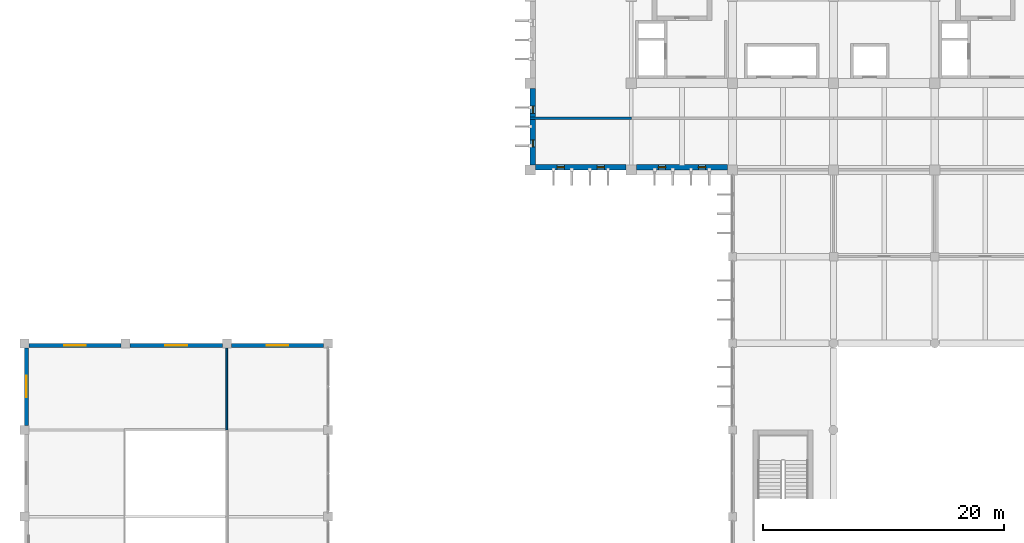
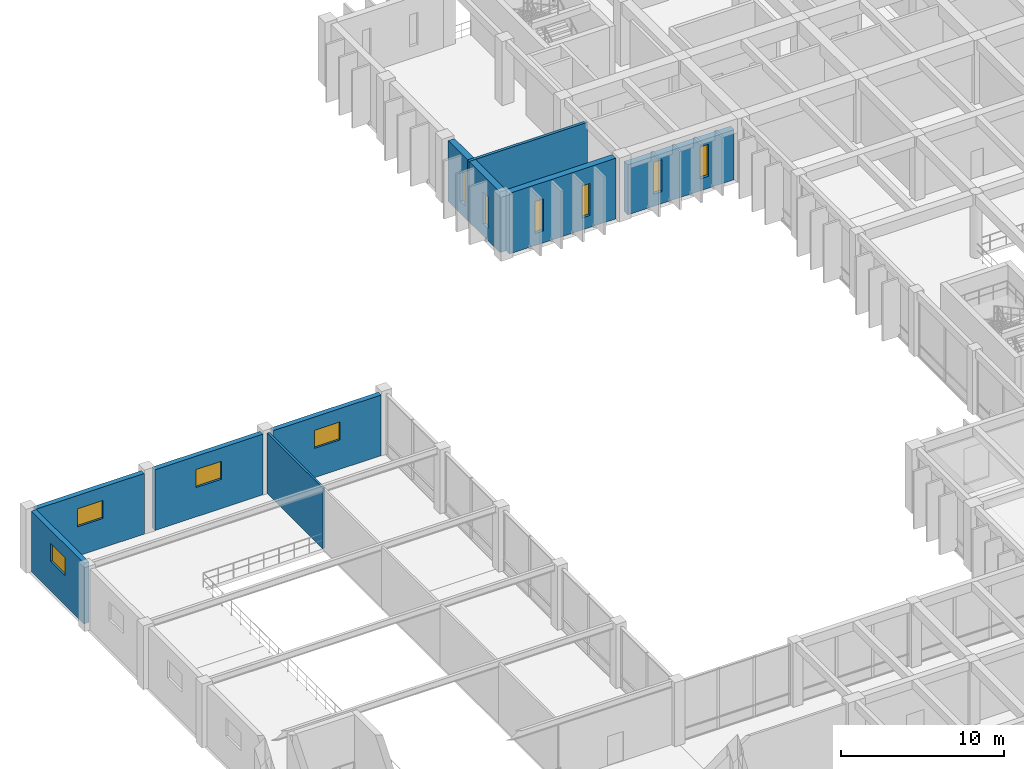
# One storey, part 33 of 51: 10 windows, 9 walls, 10 openings.
"""IFC4 building model written with IfcOpenShell, lengths in metres."""

from ifc_helpers import new_model, si_unit, direction, frame, frame_2d, origin, place, context, subcontext, project, spatial, rectangle, extrude, material, layer, layer_set, type_object, element, fill, save


model = new_model("IFC4")

# Units and contexts
model_context = context("Model", 3, precision=1e-05, world=origin(), true_north=direction((0.0, 1.0)))
body_context = subcontext(model_context, "Body", "Model", "MODEL_VIEW")
ifc_project = project(units=[si_unit("LENGTHUNIT", "METRE"), si_unit("AREAUNIT", "SQUARE_METRE"), si_unit("VOLUMEUNIT", "CUBIC_METRE"), si_unit("PLANEANGLEUNIT", "RADIAN"), si_unit("MASSUNIT", "GRAM", prefix="KILO")], contexts=[model_context])

# Site, building, storey
site_placement = place(None, origin())
site = spatial("IfcSite", under=ifc_project, at=site_placement, CompositionType="ELEMENT")
building_placement = place(site_placement, origin())
building = spatial("IfcBuilding", under=site, at=building_placement, Name="Kenerak Square Central Library", CompositionType="ELEMENT")
storey_placement = place(building_placement, frame((0.0, 0.0, 9.60009765625)))
storey = spatial("IfcBuildingStorey", under=building, at=storey_placement, Name="L02", CompositionType="ELEMENT", Elevation=9.60009765625)

# Wall
ifc_material_1 = material(Name="Precast concrete C40/50", Category="concrete")
ifc_layer_1 = layer(ifc_material_1, 0.14990234375)
ifc_layer_set_1 = layer_set([ifc_layer_1], Name="Precast concrete C40/50")
wall_type_1 = type_object("IfcWallType", Name="Acoustic Blockwork Partition IW-150 C40/50", PredefinedType="PARTITIONING", material=ifc_layer_set_1)
wall_1_placement = place(storey_placement, frame((24.800048828125, 67.199951171875, 0.0), z_axis=(0.0, 0.0, 1.0), x_axis=(0.0, 1.0, 0.0)))
element("IfcWall", 1, at=wall_1_placement, inside=storey, type_object=wall_type_1, Name="Interior Wall IW-L02-04-W3-B5", PredefinedType="PARTITIONING", context=body_context, shape_type="SweptSolid", body=[
    extrude(rectangle(XDim=6.824951171875, YDim=0.14990234375, at=frame_2d((3.41259765625, 0.0))), origin(), (0.0, 0.0, 1.0), 4.5498046875),
])

# Wall, opening, window
ifc_material_2 = material(Name="Concrete C40/50", Category="concrete")
ifc_layer_2 = layer(ifc_material_2, 0.35009765625)
ifc_layer_set_2 = layer_set([ifc_layer_2], Name="Concrete C40/50")
wall_type_2 = type_object("IfcWallType", Name="Auditorium Fluted Acoustic Wall AW-350 C40/50", PredefinedType="SOLIDWALL", material=ifc_layer_set_2)
wall_2_placement = place(storey_placement, frame((8.175048828125, 67.574951171875, 0.0), z_axis=(0.0, 0.0, 1.0), x_axis=(0.0, 1.0, 0.0)))
wall_2 = element("IfcWall", 2, at=wall_2_placement, inside=storey, type_object=wall_type_2, Name="Exterior Facade Wall L02 0164", PredefinedType="SOLIDWALL", context=body_context, shape_type="SweptSolid", body=[
    extrude(rectangle(XDim=6.449951171875, YDim=0.35009765625, at=frame_2d((3.22509765625, 0.0))), origin(), (0.0, 0.0, 1.0), 4.5498046875),
])
opening_1_placement = place(wall_2_placement, frame((2.324951171875, 0.0, 2.199951171875)))
opening_1 = element("IfcOpeningElement", 3, at=opening_1_placement, cuts=wall_2, Name="Opening W-08", PredefinedType="OPENING", context=body_context, shape_type="SweptSolid", body=[
    extrude(rectangle(XDim=1.800048828125, YDim=1.35009765625, at=frame_2d((0.89990234375, 0.675048828125))), frame((0.0, 0.18505859375, 0.0), z_axis=(0.0, -1.0, 0.0), x_axis=(1.0, 0.0, 0.0)), (0.0, 0.0, 1.0), 0.3701171875),
])
ifc_material_3 = material(Name="Solar-control low-E laminated double glazing", Category="glass")
window_type_1 = type_object("IfcWindowType", Name="Acoustic Clerestory Window W-08 1800x1350", PartitioningType="SINGLE_PANEL", PredefinedType="WINDOW", material=ifc_material_3)
window_1_placement = place(opening_1_placement, origin())
window_1 = element("IfcWindow", 4, at=window_1_placement, inside=storey, type_object=window_type_1, Name="Window W-08 L02 0153", OverallHeight=1.35009765625, OverallWidth=1.800048828125, PartitioningType="SINGLE_PANEL", PredefinedType="WINDOW", context=body_context, shape_type="SweptSolid", body=[
    extrude(rectangle(XDim=1.800048828125, YDim=1.35009765625, at=frame_2d((0.89990234375, 0.675048828125))), frame((0.0, 0.030029296875, 0.0), z_axis=(0.0, -1.0, 0.0), x_axis=(1.0, 0.0, 0.0)), (0.0, 0.0, 1.0), 0.06005859375),
])
fill(opening_1, window_1)

wall_3_placement = place(storey_placement, frame((8.375, 74.22509765625, 0.0), z_axis=(0.0, 0.0, 1.0), x_axis=(1.0, 0.0, 0.0)))
wall_3 = element("IfcWall", 5, at=wall_3_placement, inside=storey, type_object=wall_type_2, Name="Exterior Facade Wall L02 0165", PredefinedType="SOLIDWALL", context=body_context, shape_type="SweptSolid", body=[
    extrude(rectangle(XDim=7.64990234375, YDim=0.35009765625, at=frame_2d((3.824951171875, 0.0))), origin(), (0.0, 0.0, 1.0), 4.5498046875),
])
opening_2_placement = place(wall_3_placement, frame((2.925048828125, 0.0, 2.199951171875)))
opening_2 = element("IfcOpeningElement", 6, at=opening_2_placement, cuts=wall_3, Name="Opening W-08", PredefinedType="OPENING", context=body_context, shape_type="SweptSolid", body=[
    extrude(rectangle(XDim=1.800048828125, YDim=1.35009765625, at=frame_2d((0.89990234375, 0.675048828125))), frame((0.0, 0.18505859375, 0.0), z_axis=(0.0, -1.0, 0.0), x_axis=(1.0, 0.0, 0.0)), (0.0, 0.0, 1.0), 0.3701171875),
])
window_2_placement = place(opening_2_placement, origin())
window_2 = element("IfcWindow", 7, at=window_2_placement, inside=storey, type_object=window_type_1, Name="Window W-08 L02 0154", OverallHeight=1.35009765625, OverallWidth=1.800048828125, PartitioningType="SINGLE_PANEL", PredefinedType="WINDOW", context=body_context, shape_type="SweptSolid", body=[
    extrude(rectangle(XDim=1.800048828125, YDim=1.35009765625, at=frame_2d((0.89990234375, 0.675048828125))), frame((0.0, 0.030029296875, 0.0), z_axis=(0.0, -1.0, 0.0), x_axis=(1.0, 0.0, 0.0)), (0.0, 0.0, 1.0), 0.06005859375),
])
fill(opening_2, window_2)

wall_4_placement = place(storey_placement, frame((16.77490234375, 74.22509765625, 0.0), z_axis=(0.0, 0.0, 1.0), x_axis=(1.0, 0.0, 0.0)))
wall_4 = element("IfcWall", 8, at=wall_4_placement, inside=storey, type_object=wall_type_2, Name="Exterior Facade Wall L02 0166", PredefinedType="SOLIDWALL", context=body_context, shape_type="SweptSolid", body=[
    extrude(rectangle(XDim=7.650146484375, YDim=0.35009765625, at=frame_2d((3.8251953125, 0.0))), origin(), (0.0, 0.0, 1.0), 4.5498046875),
])
opening_3_placement = place(wall_4_placement, frame((2.925048828125, 0.0, 2.199951171875)))
opening_3 = element("IfcOpeningElement", 9, at=opening_3_placement, cuts=wall_4, Name="Opening W-08", PredefinedType="OPENING", context=body_context, shape_type="SweptSolid", body=[
    extrude(rectangle(XDim=1.800048828125, YDim=1.35009765625, at=frame_2d((0.89990234375, 0.675048828125))), frame((0.0, 0.18505859375, 0.0), z_axis=(0.0, -1.0, 0.0), x_axis=(1.0, 0.0, 0.0)), (0.0, 0.0, 1.0), 0.3701171875),
])
window_3_placement = place(opening_3_placement, origin())
window_3 = element("IfcWindow", 10, at=window_3_placement, inside=storey, type_object=window_type_1, Name="Window W-08 L02 0155", OverallHeight=1.35009765625, OverallWidth=1.800048828125, PartitioningType="SINGLE_PANEL", PredefinedType="WINDOW", context=body_context, shape_type="SweptSolid", body=[
    extrude(rectangle(XDim=1.800048828125, YDim=1.35009765625, at=frame_2d((0.89990234375, 0.675048828125))), frame((0.0, 0.030029296875, 0.0), z_axis=(0.0, -1.0, 0.0), x_axis=(1.0, 0.0, 0.0)), (0.0, 0.0, 1.0), 0.06005859375),
])
fill(opening_3, window_3)

wall_5_placement = place(storey_placement, frame((25.175048828125, 74.22509765625, 0.0), z_axis=(0.0, 0.0, 1.0), x_axis=(1.0, 0.0, 0.0)))
wall_5 = element("IfcWall", 11, at=wall_5_placement, inside=storey, type_object=wall_type_2, Name="Exterior Facade Wall L02 0167", PredefinedType="SOLIDWALL", context=body_context, shape_type="SweptSolid", body=[
    extrude(rectangle(XDim=7.64990234375, YDim=0.35009765625, at=frame_2d((3.824951171875, 0.0))), origin(), (0.0, 0.0, 1.0), 4.5498046875),
])
opening_4_placement = place(wall_5_placement, frame((2.925048828125, 0.0, 2.199951171875)))
opening_4 = element("IfcOpeningElement", 12, at=opening_4_placement, cuts=wall_5, Name="Opening W-08", PredefinedType="OPENING", context=body_context, shape_type="SweptSolid", body=[
    extrude(rectangle(XDim=1.800048828125, YDim=1.35009765625, at=frame_2d((0.89990234375, 0.675048828125))), frame((0.0, 0.18505859375, 0.0), z_axis=(0.0, -1.0, 0.0), x_axis=(1.0, 0.0, 0.0)), (0.0, 0.0, 1.0), 0.3701171875),
])
window_4_placement = place(opening_4_placement, origin())
window_4 = element("IfcWindow", 13, at=window_4_placement, inside=storey, type_object=window_type_1, Name="Window W-08 L02 0156", OverallHeight=1.35009765625, OverallWidth=1.800048828125, PartitioningType="SINGLE_PANEL", PredefinedType="WINDOW", context=body_context, shape_type="SweptSolid", body=[
    extrude(rectangle(XDim=1.800048828125, YDim=1.35009765625, at=frame_2d((0.89990234375, 0.675048828125))), frame((0.0, 0.030029296875, 0.0), z_axis=(0.0, -1.0, 0.0), x_axis=(1.0, 0.0, 0.0)), (0.0, 0.0, 1.0), 0.06005859375),
])
fill(opening_4, window_4)

# Wall
ifc_layer_3 = layer(ifc_material_1, 0.199951171875)
ifc_layer_set_3 = layer_set([ifc_layer_3], Name="Precast concrete C40/50")
wall_type_3 = type_object("IfcWallType", Name="Protected Corridor Fire Wall IW-200 C40/50", PredefinedType="PARTITIONING", material=ifc_layer_set_3)
wall_6_placement = place(storey_placement, frame((50.0, 93.10009765625, 0.0), z_axis=(0.0, 0.0, 1.0), x_axis=(1.0, 0.0, 0.0)))
element("IfcWall", 14, at=wall_6_placement, inside=storey, type_object=wall_type_3, Name="Interior Wall IW-L02-06-N2-B1", PredefinedType="PARTITIONING", context=body_context, shape_type="SweptSolid", body=[
    extrude(rectangle(XDim=8.39990234375, YDim=0.199951171875, at=frame_2d((4.199951171875, 0.0))), origin(), (0.0, 0.0, 1.0), 4.5498046875),
])

# Wall, openings, windows
ifc_layer_4 = layer(ifc_material_2, 0.449951171875)
ifc_layer_set_4 = layer_set([ifc_layer_4], Name="Concrete C40/50")
wall_type_4 = type_object("IfcWallType", Name="Rare-Books Vault Exterior Wall VW-450 C40/50", PredefinedType="SOLIDWALL", material=ifc_layer_set_4)
wall_7_placement = place(storey_placement, frame((66.375, 89.02490234375, 0.0), z_axis=(0.0, 0.0, 1.0), x_axis=(-1.0, 0.0, 0.0)))
wall_7 = element("IfcWall", 15, at=wall_7_placement, inside=storey, type_object=wall_type_4, Name="Exterior Facade Wall L02 0169", PredefinedType="SOLIDWALL", context=body_context, shape_type="SweptSolid", body=[
    extrude(rectangle(XDim=7.550048828125, YDim=0.449951171875, at=frame_2d((3.77490234375, 0.0))), origin(), (0.0, 0.0, 1.0), 3.75),
])
opening_5_placement = place(wall_7_placement, frame((1.81396484375, 0.0, 0.89990234375)))
opening_5 = element("IfcOpeningElement", 16, at=opening_5_placement, cuts=wall_7, Name="Opening W-01", PredefinedType="OPENING", context=body_context, shape_type="SweptSolid", body=[
    extrude(rectangle(XDim=0.60009765625, YDim=2.39990234375, at=frame_2d((0.300048828125, 1.199951171875))), frame((0.0, 0.23486328125, 0.0), z_axis=(0.0, -1.0, 0.0), x_axis=(1.0, 0.0, 0.0)), (0.0, 0.0, 1.0), 0.469970703125),
])
opening_6_placement = place(wall_7_placement, frame((5.135986328125, 0.0, 0.89990234375)))
opening_6 = element("IfcOpeningElement", 17, at=opening_6_placement, cuts=wall_7, Name="Opening W-01", PredefinedType="OPENING", context=body_context, shape_type="SweptSolid", body=[
    extrude(rectangle(XDim=0.60009765625, YDim=2.39990234375, at=frame_2d((0.300048828125, 1.199951171875))), frame((0.0, 0.23486328125, 0.0), z_axis=(0.0, -1.0, 0.0), x_axis=(1.0, 0.0, 0.0)), (0.0, 0.0, 1.0), 0.469970703125),
])
window_type_2 = type_object("IfcWindowType", Name="UV-Filtered Stack Slot Window W-01 600x2400", PartitioningType="SINGLE_PANEL", PredefinedType="WINDOW", material=ifc_material_3)
window_5_placement = place(opening_5_placement, origin())
window_5 = element("IfcWindow", 18, at=window_5_placement, inside=storey, type_object=window_type_2, Name="Window W-01 L02 0158", OverallHeight=2.39990234375, OverallWidth=0.60009765625, PartitioningType="SINGLE_PANEL", PredefinedType="WINDOW", context=body_context, shape_type="SweptSolid", body=[
    extrude(rectangle(XDim=0.60009765625, YDim=2.39990234375, at=frame_2d((0.300048828125, 1.199951171875))), frame((0.0, 0.030029296875, 0.0), z_axis=(0.0, -1.0, 0.0), x_axis=(1.0, 0.0, 0.0)), (0.0, 0.0, 1.0), 0.06005859375),
])
fill(opening_5, window_5)
window_6_placement = place(opening_6_placement, origin())
window_6 = element("IfcWindow", 19, at=window_6_placement, inside=storey, type_object=window_type_2, Name="Window W-01 L02 0159", OverallHeight=2.39990234375, OverallWidth=0.60009765625, PartitioningType="SINGLE_PANEL", PredefinedType="WINDOW", context=body_context, shape_type="SweptSolid", body=[
    extrude(rectangle(XDim=0.60009765625, YDim=2.39990234375, at=frame_2d((0.300048828125, 1.199951171875))), frame((0.0, 0.030029296875, 0.0), z_axis=(0.0, -1.0, 0.0), x_axis=(1.0, 0.0, 0.0)), (0.0, 0.0, 1.0), 0.06005859375),
])
fill(opening_6, window_6)

wall_8_placement = place(storey_placement, frame((57.97509765625, 89.02490234375, 0.0), z_axis=(0.0, 0.0, 1.0), x_axis=(-1.0, 0.0, 0.0)))
wall_8 = element("IfcWall", 20, at=wall_8_placement, inside=storey, type_object=wall_type_4, Name="Exterior Facade Wall L02 0170", PredefinedType="SOLIDWALL", context=body_context, shape_type="SweptSolid", body=[
    extrude(rectangle(XDim=7.550048828125, YDim=0.449951171875, at=frame_2d((3.77490234375, 0.0))), origin(), (0.0, 0.0, 1.0), 4.5498046875),
])
opening_7_placement = place(wall_8_placement, frame((1.81396484375, 0.0, 0.89990234375)))
opening_7 = element("IfcOpeningElement", 21, at=opening_7_placement, cuts=wall_8, Name="Opening W-01", PredefinedType="OPENING", context=body_context, shape_type="SweptSolid", body=[
    extrude(rectangle(XDim=0.60009765625, YDim=2.39990234375, at=frame_2d((0.300048828125, 1.199951171875))), frame((0.0, 0.23486328125, 0.0), z_axis=(0.0, -1.0, 0.0), x_axis=(1.0, 0.0, 0.0)), (0.0, 0.0, 1.0), 0.469970703125),
])
opening_8_placement = place(wall_8_placement, frame((5.135986328125, 0.0, 0.89990234375)))
opening_8 = element("IfcOpeningElement", 22, at=opening_8_placement, cuts=wall_8, Name="Opening W-01", PredefinedType="OPENING", context=body_context, shape_type="SweptSolid", body=[
    extrude(rectangle(XDim=0.60009765625, YDim=2.39990234375, at=frame_2d((0.300048828125, 1.199951171875))), frame((0.0, 0.23486328125, 0.0), z_axis=(0.0, -1.0, 0.0), x_axis=(1.0, 0.0, 0.0)), (0.0, 0.0, 1.0), 0.469970703125),
])
window_7_placement = place(opening_7_placement, origin())
window_7 = element("IfcWindow", 23, at=window_7_placement, inside=storey, type_object=window_type_2, Name="Window W-01 L02 0160", OverallHeight=2.39990234375, OverallWidth=0.60009765625, PartitioningType="SINGLE_PANEL", PredefinedType="WINDOW", context=body_context, shape_type="SweptSolid", body=[
    extrude(rectangle(XDim=0.60009765625, YDim=2.39990234375, at=frame_2d((0.300048828125, 1.199951171875))), frame((0.0, 0.030029296875, 0.0), z_axis=(0.0, -1.0, 0.0), x_axis=(1.0, 0.0, 0.0)), (0.0, 0.0, 1.0), 0.06005859375),
])
fill(opening_7, window_7)
window_8_placement = place(opening_8_placement, origin())
window_8 = element("IfcWindow", 24, at=window_8_placement, inside=storey, type_object=window_type_2, Name="Window W-01 L02 0161", OverallHeight=2.39990234375, OverallWidth=0.60009765625, PartitioningType="SINGLE_PANEL", PredefinedType="WINDOW", context=body_context, shape_type="SweptSolid", body=[
    extrude(rectangle(XDim=0.60009765625, YDim=2.39990234375, at=frame_2d((0.300048828125, 1.199951171875))), frame((0.0, 0.030029296875, 0.0), z_axis=(0.0, -1.0, 0.0), x_axis=(1.0, 0.0, 0.0)), (0.0, 0.0, 1.0), 0.06005859375),
])
fill(opening_8, window_8)

wall_9_placement = place(storey_placement, frame((50.22509765625, 89.22509765625, 0.0), z_axis=(0.0, 0.0, 1.0), x_axis=(0.0, 1.0, 0.0)))
wall_9 = element("IfcWall", 25, at=wall_9_placement, inside=storey, type_object=wall_type_4, Name="Exterior Facade Wall L02 0171", PredefinedType="SOLIDWALL", context=body_context, shape_type="SweptSolid", body=[
    extrude(rectangle(XDim=6.349853515625, YDim=0.449951171875, at=frame_2d((3.1748046875, 0.0))), origin(), (0.0, 0.0, 1.0), 4.5498046875),
])
opening_9_placement = place(wall_9_placement, frame((1.47802734375, 0.0, 0.89990234375)))
opening_9 = element("IfcOpeningElement", 26, at=opening_9_placement, cuts=wall_9, Name="Opening W-01", PredefinedType="OPENING", context=body_context, shape_type="SweptSolid", body=[
    extrude(rectangle(XDim=0.60009765625, YDim=2.39990234375, at=frame_2d((0.300048828125, 1.199951171875))), frame((0.0, 0.23486328125, 0.0), z_axis=(0.0, -1.0, 0.0), x_axis=(1.0, 0.0, 0.0)), (0.0, 0.0, 1.0), 0.469970703125),
])
opening_10_placement = place(wall_9_placement, frame((4.27197265625, 0.0, 0.89990234375)))
opening_10 = element("IfcOpeningElement", 27, at=opening_10_placement, cuts=wall_9, Name="Opening W-01", PredefinedType="OPENING", context=body_context, shape_type="SweptSolid", body=[
    extrude(rectangle(XDim=0.60009765625, YDim=2.39990234375, at=frame_2d((0.300048828125, 1.199951171875))), frame((0.0, 0.23486328125, 0.0), z_axis=(0.0, -1.0, 0.0), x_axis=(1.0, 0.0, 0.0)), (0.0, 0.0, 1.0), 0.469970703125),
])
window_9_placement = place(opening_9_placement, origin())
window_9 = element("IfcWindow", 28, at=window_9_placement, inside=storey, type_object=window_type_2, Name="Window W-01 L02 0162", OverallHeight=2.39990234375, OverallWidth=0.60009765625, PartitioningType="SINGLE_PANEL", PredefinedType="WINDOW", context=body_context, shape_type="SweptSolid", body=[
    extrude(rectangle(XDim=0.60009765625, YDim=2.39990234375, at=frame_2d((0.300048828125, 1.199951171875))), frame((0.0, 0.030029296875, 0.0), z_axis=(0.0, -1.0, 0.0), x_axis=(1.0, 0.0, 0.0)), (0.0, 0.0, 1.0), 0.06005859375),
])
fill(opening_9, window_9)
window_10_placement = place(opening_10_placement, origin())
window_10 = element("IfcWindow", 29, at=window_10_placement, inside=storey, type_object=window_type_2, Name="Window W-01 L02 0163", OverallHeight=2.39990234375, OverallWidth=0.60009765625, PartitioningType="SINGLE_PANEL", PredefinedType="WINDOW", context=body_context, shape_type="SweptSolid", body=[
    extrude(rectangle(XDim=0.60009765625, YDim=2.39990234375, at=frame_2d((0.300048828125, 1.199951171875))), frame((0.0, 0.030029296875, 0.0), z_axis=(0.0, -1.0, 0.0), x_axis=(1.0, 0.0, 0.0)), (0.0, 0.0, 1.0), 0.06005859375),
])
fill(opening_10, window_10)

save(model, "model.ifc")
